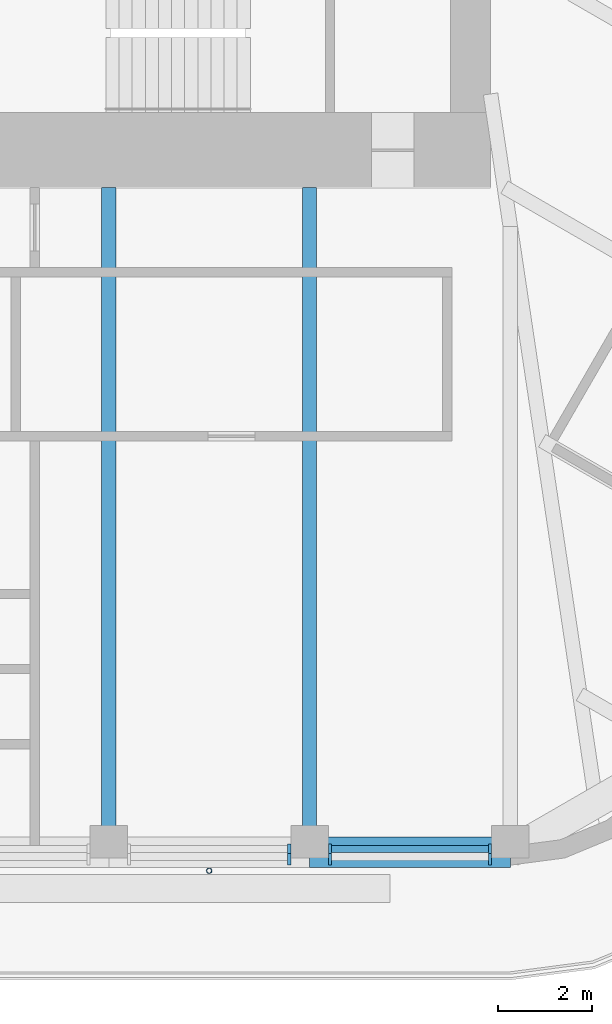
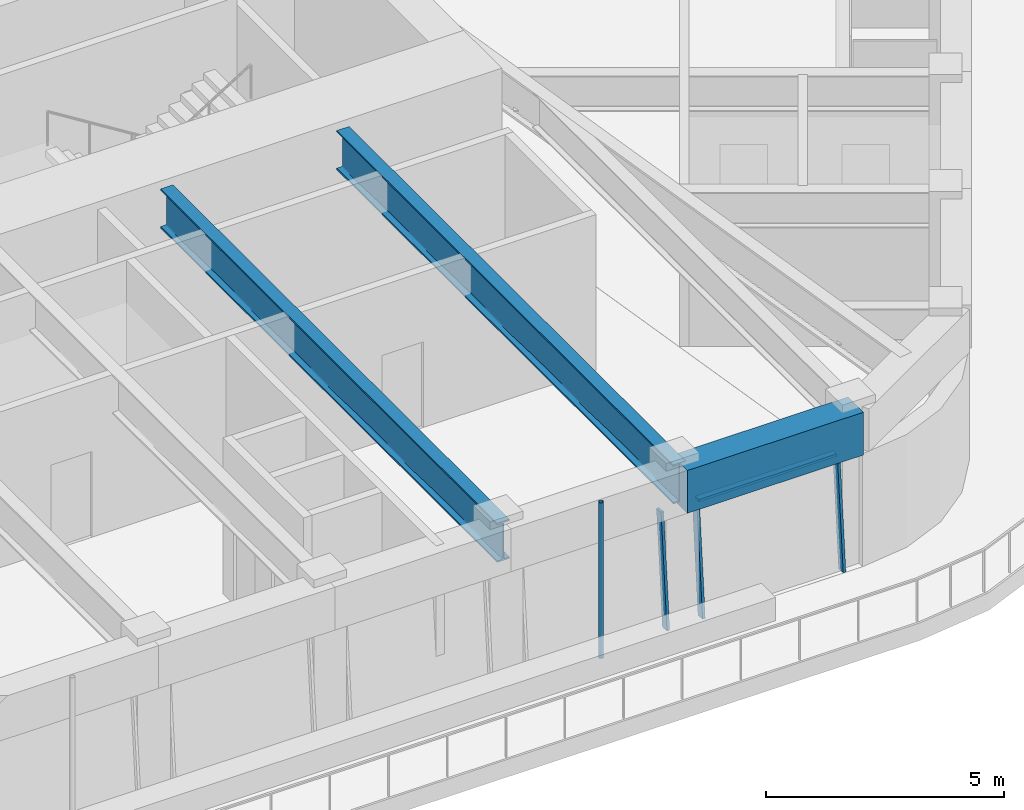
# One storey, part 4 of 20: 5 members, 3 beams, 2 elements without a shape of their own.
"""IFC4 building model written with IfcOpenShell, lengths in metres."""

from ifc_helpers import new_model, si_unit, direction, frame, origin, origin_2d, place, context, subcontext, project, spatial, rectangle, hollow_circle, i_section, extrude, material, material_profile, profile_set, type_object, element, aggregate, save


model = new_model("IFC4")

# Units and contexts
model_context = context("Model", 3, precision=1e-05, world=origin(), true_north=direction((0.0, 1.0)))
body_context = subcontext(model_context, "Body", "Model", "MODEL_VIEW")
ifc_project = project(units=[si_unit("LENGTHUNIT", "METRE"), si_unit("AREAUNIT", "SQUARE_METRE"), si_unit("VOLUMEUNIT", "CUBIC_METRE"), si_unit("PLANEANGLEUNIT", "RADIAN"), si_unit("MASSUNIT", "GRAM", prefix="KILO")], contexts=[model_context])

# Site, building, storey
site_placement = place(None, origin())
site = spatial("IfcSite", under=ifc_project, at=site_placement, CompositionType="ELEMENT")
building_placement = place(site_placement, origin())
building = spatial("IfcBuilding", under=site, at=building_placement, Name="Tarfa Lantern Tower", CompositionType="ELEMENT")
storey_placement = place(building_placement, frame((0.0, 0.0, 378.699951171875)))
storey = spatial("IfcBuildingStorey", under=building, at=storey_placement, Name="L86", CompositionType="ELEMENT", Elevation=378.699951171875)

# Curtain wall, member
ifc_material_1 = material(Name="Aluminium framed curtain wall", Category="aluminium")
curtain_wall_type = type_object("IfcCurtainWallType", Name="CW4 CANTED GLAZING EXECUTIVE ZONE 2900", PredefinedType="USERDEFINED", material=ifc_material_1)
curtain_wall_1_placement = place(storey_placement, origin())
curtain_wall_1 = element("IfcCurtainWall", 1, at=curtain_wall_1_placement, inside=storey, type_object=curtain_wall_type, Name="CW4 S L86", ObjectType="CURTAIN WALL", PredefinedType="USERDEFINED")
ifc_material_2 = material(Name="Aluminium mullion", Category="aluminium")
ifc_material_profile_1 = material_profile(ifc_material_2, rectangle(XDim=0.06494140625, YDim=0.199951171875, at=origin_2d()), Name="AL MULLION 65x200")
ifc_profile_set_1 = profile_set([ifc_material_profile_1], Name="Aluminium mullion")
member_type_1 = type_object("IfcMemberType", Name="CWM1 MULLION 65x200", PredefinedType="MULLION", material=ifc_profile_set_1)
member_1_placement = place(storey_placement, frame((8.131591796875, -26.64990234375, 0.0), z_axis=(0.0, 0.085884035992, 0.996305140186), x_axis=(-1.0, 0.0, 0.0)))
member_1 = element("IfcMember", 2, at=member_1_placement, type_object=member_type_1, Name="CW4 mullion 2", PredefinedType="MULLION", context=body_context, shape_type="SweptSolid", body=[
    extrude(rectangle(XDim=0.06494140625, YDim=0.199951171875, at=origin_2d()), origin(), (0.0, 0.0, 1.0), 2.910888671875),
])
aggregate(curtain_wall_1, [member_1])

# Curtain wall, members
curtain_wall_2_placement = place(storey_placement, origin())
curtain_wall_2 = element("IfcCurtainWall", 3, at=curtain_wall_2_placement, inside=storey, type_object=curtain_wall_type, Name="CW4 S L86", ObjectType="CURTAIN WALL", PredefinedType="USERDEFINED")
member_2_placement = place(storey_placement, frame((8.99658203125, -26.64990234375, 0.0), z_axis=(0.0, 0.085884035992, 0.996305140186), x_axis=(-1.0, 0.0, 0.0)))
member_2 = element("IfcMember", 4, at=member_2_placement, type_object=member_type_1, Name="CW4 mullion 1", PredefinedType="MULLION", context=body_context, shape_type="SweptSolid", body=[
    extrude(rectangle(XDim=0.06494140625, YDim=0.199951171875, at=origin_2d()), origin(), (0.0, 0.0, 1.0), 2.910888671875),
])
member_3_placement = place(storey_placement, frame((12.41357421875, -26.64990234375, 0.0), z_axis=(0.0, 0.085884035992, 0.996305140186), x_axis=(-1.0, 0.0, 0.0)))
member_3 = element("IfcMember", 5, at=member_3_placement, type_object=member_type_1, Name="CW4 mullion 2", PredefinedType="MULLION", context=body_context, shape_type="SweptSolid", body=[
    extrude(rectangle(XDim=0.06494140625, YDim=0.199951171875, at=origin_2d()), origin(), (0.0, 0.0, 1.0), 2.910888671875),
])
ifc_material_3 = material(Name="Aluminium transom", Category="aluminium")
ifc_material_profile_2 = material_profile(ifc_material_3, rectangle(XDim=0.14990234375, YDim=0.06494140625, at=origin_2d()), Name="AL TRANSOM 150x65")
ifc_profile_set_2 = profile_set([ifc_material_profile_2], Name="Aluminium transom")
member_type_2 = type_object("IfcMemberType", Name="CWT1 TRANSOM 150x65", PredefinedType="USERDEFINED", material=ifc_profile_set_2)
member_4_placement = place(storey_placement, frame((9.029052734375, -26.40283203125, 2.867431640625), z_axis=(1.0, 0.0, 0.0), x_axis=(0.0, 1.0, 0.0)))
member_4 = element("IfcMember", 6, at=member_4_placement, type_object=member_type_2, Name="CW4 transom 1.2", ObjectType="TRANSOM", PredefinedType="USERDEFINED", context=body_context, shape_type="SweptSolid", body=[
    extrude(rectangle(XDim=0.14990234375, YDim=0.06494140625, at=origin_2d()), origin(), (0.0, 0.0, 1.0), 3.35205078125),
])
aggregate(curtain_wall_2, [member_2, member_3, member_4])

# Beam
ifc_material_4 = material(Name="Concrete C80/95", Category="concrete")
ifc_material_profile_3 = material_profile(ifc_material_4, rectangle(XDim=0.64990234375, YDim=1.10009765625, at=origin_2d()), Name="RC 650x1100")
ifc_profile_set_3 = profile_set([ifc_material_profile_3], Name="Concrete C80/95")
beam_type_1 = type_object("IfcBeamType", Name="EB4 RC 650x1100", PredefinedType="SPANDREL", material=ifc_profile_set_3)
beam_placement = place(storey_placement, frame((8.56396484375, -26.469970703125, 3.449951171875), z_axis=(1.0, 0.0, 0.0), x_axis=(0.0, 1.0, 0.0)))
element("IfcBeam", 7, at=beam_placement, inside=storey, type_object=beam_type_1, Name="Edge beam S5", PredefinedType="SPANDREL", context=body_context, shape_type="SweptSolid", body=[
    extrude(rectangle(XDim=0.64990234375, YDim=1.10009765625, at=origin_2d()), origin(), (0.0, 0.0, 1.0), 4.281982421875),
])

# Member
ifc_material_5 = material(Name="Steel S355", Category="steel")
ifc_material_profile_4 = material_profile(ifc_material_5, hollow_circle(Radius=0.05712890625, WallThickness=0.00634765625, at=origin_2d()), Name="CHS114.3x6.3")
ifc_profile_set_4 = profile_set([ifc_material_profile_4], Name="Steel S355")
member_type_3 = type_object("IfcMemberType", Name="TR1 GREEN WALL TRELLIS CHS114.3x6.3", PredefinedType="USERDEFINED", material=ifc_profile_set_4)
member_5_placement = place(storey_placement, frame((6.423095703125, -26.8701171875, 0.0), z_axis=(0.0, 0.0, 1.0), x_axis=(1.0, 0.0, 0.0)))
element("IfcMember", 8, at=member_5_placement, inside=storey, type_object=member_type_3, Name="Trellis post S 2", ObjectType="TRELLIS", PredefinedType="USERDEFINED", context=body_context, shape_type="SweptSolid", body=[
    extrude(hollow_circle(Radius=0.05712890625, WallThickness=0.00634765625, at=origin_2d()), origin(), (0.0, 0.0, 1.0), 4.0),
])

# Beams
ifc_material_6 = material(Name="Steel S460M", Category="steel")
ifc_material_profile_5 = material_profile(ifc_material_6, i_section(OverallWidth=0.302001953125, OverallDepth=1.008056640625, WebThickness=0.02099609375, FlangeThickness=0.0400390625, FilletRadius=0.030029296875, at=origin_2d()), Name="UB1016x305x349")
ifc_profile_set_5 = profile_set([ifc_material_profile_5], Name="Steel S460M")
beam_type_2 = type_object("IfcBeamType", Name="UB1016x305x349", PredefinedType="BEAM", material=ifc_profile_set_5)
for number, where, z_axis, x_axis, name in (
    (9, (4.281982421875, -26.469970703125, 3.49609375), (0.0, 1.0, 0.0), (-1.0, 0.0, 0.0), "Floor beam S4"),
    (10, (8.56396484375, -26.469970703125, 3.49609375), (0.0, 1.0, 0.0), (-1.0, 0.0, 0.0), "Floor beam S5"),
):
    element("IfcBeam", number, at=place(storey_placement, frame(where, z_axis=z_axis, x_axis=x_axis)), inside=storey, type_object=beam_type_2, Name=name, PredefinedType="BEAM", context=body_context, shape_type="SweptSolid", body=[
        extrude(i_section(OverallWidth=0.302001953125, OverallDepth=1.008056640625, WebThickness=0.02099609375, FlangeThickness=0.0400390625, FilletRadius=0.030029296875, at=origin_2d()), origin(), (0.0, 0.0, 1.0), 14.169921875),
    ])

save(model, "model.ifc")
